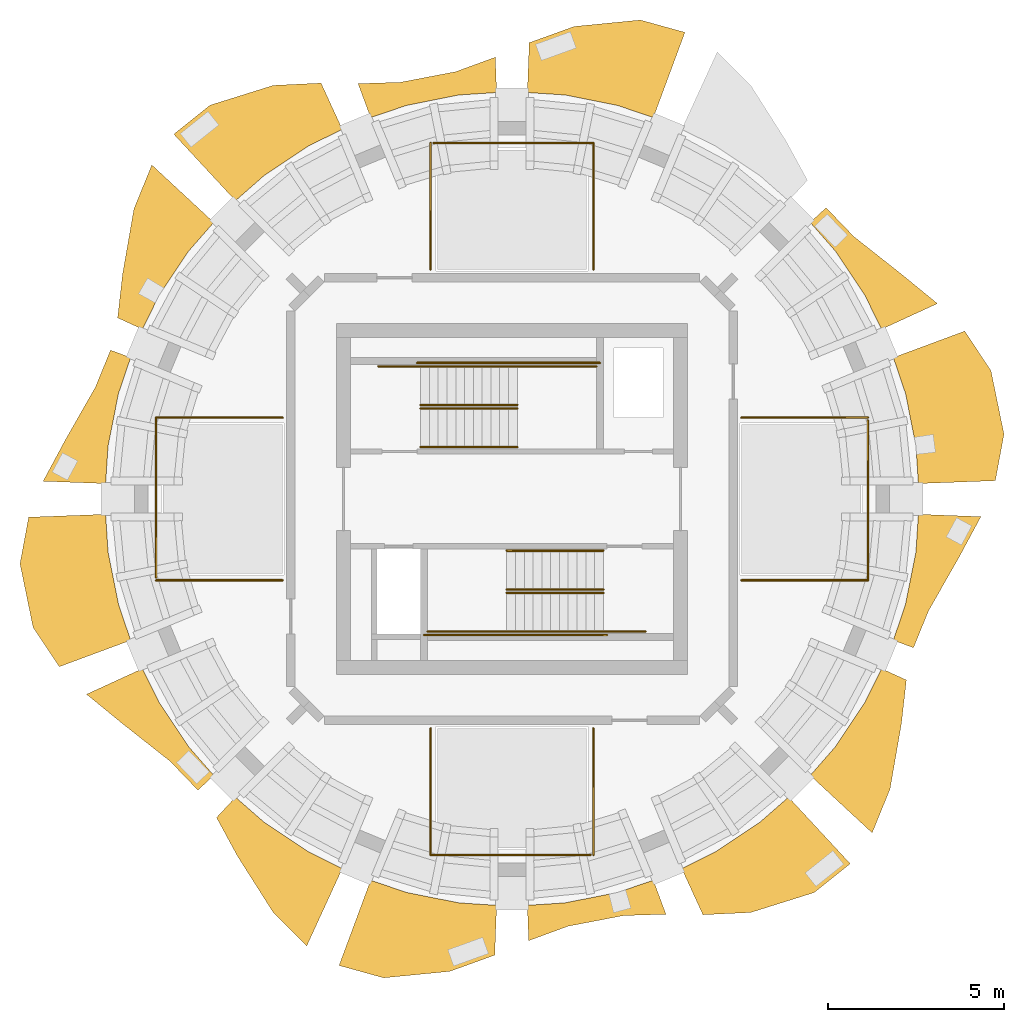
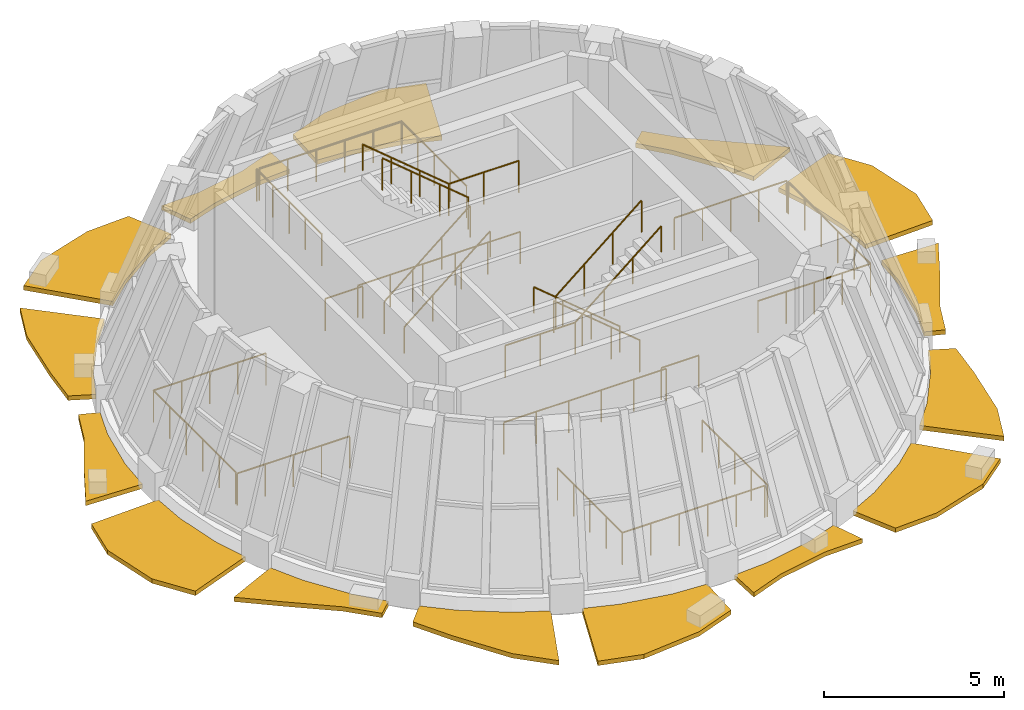
# One storey, part 7 of 9: 26 railings, 15 shading devices.
"""IFC4 building model written with IfcOpenShell, lengths in metres."""

import ifcopenshell
import ifcopenshell.guid

model = None  # the IFC model being written
_history = None  # IfcOwnerHistory: only IFC2X3 demands one
_inside = {}  # id of a spatial element -> (the spatial element, [elements in it])
_under = {}  # id of a project, library or spatial element -> (it, [spatial elements below it])
_declared = {}  # id of a project -> (the project, [libraries it declares])
_typed = {}  # id of a type object -> (the type object, [elements of that type])
_made_of = {}  # id of a material, layer set ... -> (it, [elements and type objects made of it])


def new_model(schema):
    """Start an empty IFC model of exactly this schema.

    Asked for "IFC4X3", IfcOpenShell would pick the latest addendum, in which some entities
    have other attributes; the version numbers below select the first issue.
    IFC2X3 requires an IfcOwnerHistory on every rooted entity: one is made here for all.
    """
    global model, _history
    if schema == "IFC4X3":
        model = ifcopenshell.file(schema_version=(4, 3, 0, 0))
    else:
        model = ifcopenshell.file(schema=schema)
    _inside.clear()
    _under.clear()
    _declared.clear()
    _typed.clear()
    _made_of.clear()
    _history = None
    if model.schema == "IFC2X3":
        org = make("IfcOrganization", Name="unknown")
        user = make(
            "IfcPersonAndOrganization",
            ThePerson=make("IfcPerson", FamilyName="unknown"),
            TheOrganization=org,
        )
        app = make(
            "IfcApplication",
            ApplicationDeveloper=org,
            Version="unknown",
            ApplicationFullName="unknown",
            ApplicationIdentifier="unknown",
        )
        _history = make(
            "IfcOwnerHistory",
            OwningUser=user,
            OwningApplication=app,
            ChangeAction="ADDED",
            CreationDate=0,
        )
    return model


def make(cls, **values):
    """One entity of the class cls with the attributes given. An attribute that is None is left unset."""
    return model.create_entity(
        cls, **{name: value for name, value in values.items() if value is not None}
    )


def rooted(cls, **values):
    """An entity with a GlobalId (a new one), such as an element, a storey or a relation."""
    return make(cls, GlobalId=ifcopenshell.guid.new(), OwnerHistory=_history, **values)


def si_unit(unit_type, name, prefix=None):
    """IfcSIUnit, for example si_unit("LENGTHUNIT", "METRE", prefix="MILLI")."""
    return make("IfcSIUnit", UnitType=unit_type, Prefix=prefix, Name=name)


def assignment(units):
    """IfcUnitAssignment: the units of a project."""
    return None if units is None else make("IfcUnitAssignment", Units=units)


def point(xyz):
    """IfcCartesianPoint."""
    return None if xyz is None else make("IfcCartesianPoint", Coordinates=xyz)


def direction(xyz):
    """IfcDirection."""
    return None if xyz is None else make("IfcDirection", DirectionRatios=xyz)


def frame(location, z_axis=None, x_axis=None):
    """IfcAxis2Placement3D, a coordinate frame: its origin and axes. An axis left out is left unset."""
    return make(
        "IfcAxis2Placement3D",
        Location=point(location),
        Axis=direction(z_axis),
        RefDirection=direction(x_axis),
    )


def frame_2d(location, x_axis=None):
    """IfcAxis2Placement2D, a coordinate frame in the plane: its origin and x axis."""
    return make(
        "IfcAxis2Placement2D", Location=point(location), RefDirection=direction(x_axis)
    )


def origin():
    """The frame at (0, 0, 0) with its axes left unset."""
    return frame((0.0, 0.0, 0.0))


def origin_2d():
    """The frame at (0, 0) in the plane with its x axis left unset."""
    return frame_2d((0.0, 0.0))


def place(relative_to, where):
    """IfcLocalPlacement: puts the frame where relative to a parent placement (None: the world)."""
    return make(
        "IfcLocalPlacement", PlacementRelTo=relative_to, RelativePlacement=where
    )


def context(
    kind, dimensions, precision=None, world=None, true_north=None, identifier=None
):
    """IfcGeometricRepresentationContext, for example the 3D "Model" context."""
    return make(
        "IfcGeometricRepresentationContext",
        ContextIdentifier=identifier,
        ContextType=kind,
        CoordinateSpaceDimension=dimensions,
        Precision=precision,
        WorldCoordinateSystem=world,
        TrueNorth=true_north,
    )


def subcontext(parent, identifier, kind, view, scale=None):
    """IfcGeometricRepresentationSubContext, for example "Body" below "Model"."""
    return make(
        "IfcGeometricRepresentationSubContext",
        ContextIdentifier=identifier,
        ContextType=kind,
        ParentContext=parent,
        TargetScale=scale,
        TargetView=view,
    )


def project(units=None, contexts=None):
    """IfcProject with its units and contexts."""
    return rooted(
        "IfcProject",
        Name="project",
        RepresentationContexts=contexts,
        UnitsInContext=assignment(units),
    )


def spatial(cls, under=None, at=None, **own):
    """A site, building, storey or space (cls), placed at a placement, below another one or the project."""
    s = rooted(cls, ObjectPlacement=at, **own)
    if under is not None:
        _under.setdefault(under.id(), (under, []))[1].append(s)
    return s


def polyline(points):
    """IfcPolyline through the points."""
    return make("IfcPolyline", Points=[point(p) for p in points])


def profile(cls, at=None, kind="AREA", **sizes):
    """A parametric profile (cls). Its sizes go by their IFC names, for example OverallWidth=200.0."""
    return make(cls, ProfileType=kind, Position=at, **sizes)


def circle(**sizes):
    """IfcCircleProfileDef."""
    return profile("IfcCircleProfileDef", **sizes)


def outline(outer, holes=None, kind="AREA"):
    """IfcArbitraryClosedProfileDef: a profile drawn as a closed curve; with holes, ...WithVoids."""
    if holes is None:
        return make("IfcArbitraryClosedProfileDef", ProfileType=kind, OuterCurve=outer)
    return make(
        "IfcArbitraryProfileDefWithVoids",
        ProfileType=kind,
        OuterCurve=outer,
        InnerCurves=holes,
    )


def extrude(swept, where, along, depth):
    """IfcExtrudedAreaSolid: the profile swept, set in the frame where, extruded along a direction by depth."""
    return make(
        "IfcExtrudedAreaSolid",
        SweptArea=swept,
        Position=where,
        ExtrudedDirection=direction(along),
        Depth=depth,
    )


def shape(context_of_items, identifier, shape_type, items):
    """IfcShapeRepresentation: the items that make up one representation, for example the "Body"."""
    return make(
        "IfcShapeRepresentation",
        ContextOfItems=context_of_items,
        RepresentationIdentifier=identifier,
        RepresentationType=shape_type,
        Items=items,
    )


def material(Name=None, Category=None):
    """IfcMaterial."""
    return make("IfcMaterial", Name=Name, Category=Category)


def made_of(thing, what):
    """Note that an element or type object is made of a material, layer set ...; save() writes the relation."""
    if what is not None:
        _made_of.setdefault(what.id(), (what, []))[1].append(thing)
    return thing


def type_object(cls, material=None, **own):
    """A type object (cls), such as IfcWallType, which elements share."""
    return made_of(rooted(cls, **own), material)


def element(
    cls,
    number,
    at=None,
    inside=None,
    cuts=None,
    type_object=None,
    material=None,
    context=None,
    identifier="Body",
    shape_type=None,
    held_by="IfcProductDefinitionShape",
    body=None,
    shapes=None,
    **own,
):
    """One element of the class cls, such as IfcWall. Its Tag is "e" and its number.

    at: its placement. inside: the storey or other place that contains it. cuts: it is an
    opening in that element (IfcRelVoidsElement). A single representation is given by context,
    identifier, shape_type and body (its items); several are given by shapes. held_by: the class
    of the entity that holds the representations. save() writes the other relations.
    """
    e = rooted(cls, Tag="e%d" % number, ObjectPlacement=at, **own)
    if body is not None:
        shapes = [shape(context, identifier, shape_type, body)]
    if shapes is not None:
        e.Representation = make(held_by, Representations=shapes)
    if inside is not None:
        _inside.setdefault(inside.id(), (inside, []))[1].append(e)
    if cuts is not None:
        rooted(
            "IfcRelVoidsElement", RelatingBuildingElement=cuts, RelatedOpeningElement=e
        )
    if type_object is not None:
        _typed.setdefault(type_object.id(), (type_object, []))[1].append(e)
    return made_of(e, material)


def aggregate(whole, parts):
    """IfcRelAggregates: a whole, such as a stair, and the parts it consists of."""
    return rooted("IfcRelAggregates", RelatingObject=whole, RelatedObjects=parts)


def save(model, path):
    """Write the relations noted so far, then the file.

    IfcRelAggregates (storeys below a building ...), IfcRelContainedInSpatialStructure (elements
    in a storey), IfcRelDefinesByType, IfcRelAssociatesMaterial and IfcRelDeclares: one each for
    every whole, place, type object, material and project.
    """
    for whole, parts in _under.values():
        aggregate(whole, parts)
    for where, things in _inside.values():
        rooted(
            "IfcRelContainedInSpatialStructure",
            RelatedElements=things,
            RelatingStructure=where,
        )
    for kind, things in _typed.values():
        rooted("IfcRelDefinesByType", RelatedObjects=things, RelatingType=kind)
    for what, things in _made_of.values():
        rooted("IfcRelAssociatesMaterial", RelatedObjects=things, RelatingMaterial=what)
    for by, libraries in _declared.values():
        rooted("IfcRelDeclares", RelatingContext=by, RelatedDefinitions=libraries)
    model.write(path)


model = new_model("IFC4")

# Units and contexts
model_context = context("Model", 3, precision=1e-05, world=origin(), true_north=direction((0.0, 1.0)))
body_context = subcontext(model_context, "Body", "Model", "MODEL_VIEW")
ifc_project = project(units=[si_unit("LENGTHUNIT", "METRE"), si_unit("AREAUNIT", "SQUARE_METRE"), si_unit("VOLUMEUNIT", "CUBIC_METRE"), si_unit("PLANEANGLEUNIT", "RADIAN"), si_unit("MASSUNIT", "GRAM", prefix="KILO")], contexts=[model_context])

# Site, building, storey
site_placement = place(None, origin())
site = spatial("IfcSite", under=ifc_project, at=site_placement, CompositionType="ELEMENT")
building_placement = place(site_placement, origin())
building = spatial("IfcBuilding", under=site, at=building_placement, Name="Polderwave Tower", CompositionType="ELEMENT")
storey_placement = place(building_placement, frame((0.0, 0.0, 239.39990234375)))
storey = spatial("IfcBuildingStorey", under=building, at=storey_placement, Name="L65", CompositionType="ELEMENT", Elevation=239.39990234375)

# Railings
ifc_material_1 = material(Name="Steel S355", Category="steel")
railing_type_1 = type_object("IfcRailingType", Name="Damper guard 1100", PredefinedType="GUARDRAIL", material=ifc_material_1)
railing_1_placement = place(storey_placement, frame((10.135009765625, -2.317626953125, 0.0)))
element("IfcRailing", 1, at=railing_1_placement, inside=storey, type_object=railing_type_1, Name="Damper guard 1a", PredefinedType="GUARDRAIL", context=body_context, shape_type="SweptSolid", body=[
    extrude(circle(Radius=0.02490234375, at=origin_2d()), frame((0.0, 0.0, 1.0751953125), z_axis=(0.0, 1.0, 0.0), x_axis=(-1.0, 0.0, 0.0)), (0.0, 0.0, 1.0), 4.55517578125),
    extrude(circle(Radius=0.02001953125, at=origin_2d()), origin(), (0.0, 0.0, 1.0), 1.050048828125),
    extrude(circle(Radius=0.02001953125, at=origin_2d()), frame((0.0, 0.9111328125, 0.0)), (0.0, 0.0, 1.0), 1.050048828125),
    extrude(circle(Radius=0.02001953125, at=origin_2d()), frame((0.0, 1.822021484375, 0.0)), (0.0, 0.0, 1.0), 1.050048828125),
    extrude(circle(Radius=0.02001953125, at=origin_2d()), frame((0.0, 2.733154296875, 0.0)), (0.0, 0.0, 1.0), 1.050048828125),
    extrude(circle(Radius=0.02001953125, at=origin_2d()), frame((0.0, 3.64404296875, 0.0)), (0.0, 0.0, 1.0), 1.050048828125),
    extrude(circle(Radius=0.02001953125, at=origin_2d()), frame((0.0, 4.55517578125, 0.0)), (0.0, 0.0, 1.0), 1.050048828125),
])
for number, where, name in (
    (2, (10.135009765625, 2.317626953125, 0.0), "Damper guard 1b"),
    (3, (10.135009765625, -2.317626953125, 0.0), "Damper guard 1c"),
):
    element("IfcRailing", number, at=place(storey_placement, frame(where)), inside=storey, type_object=railing_type_1, Name=name, PredefinedType="GUARDRAIL", context=body_context, shape_type="SweptSolid", body=[
        extrude(circle(Radius=0.02490234375, at=origin_2d()), frame((0.0, 0.0, 1.0751953125), z_axis=(-1.0, 0.0, 0.0), x_axis=(0.0, -1.0, 0.0)), (0.0, 0.0, 1.0), 3.60009765625),
        extrude(circle(Radius=0.02001953125, at=origin_2d()), origin(), (0.0, 0.0, 1.0), 1.050048828125),
        extrude(circle(Radius=0.02001953125, at=origin_2d()), frame((-0.89990234375, 0.0, 0.0)), (0.0, 0.0, 1.0), 1.050048828125),
        extrude(circle(Radius=0.02001953125, at=origin_2d()), frame((-1.800048828125, 0.0, 0.0)), (0.0, 0.0, 1.0), 1.050048828125),
        extrude(circle(Radius=0.02001953125, at=origin_2d()), frame((-2.7001953125, 0.0, 0.0)), (0.0, 0.0, 1.0), 1.050048828125),
        extrude(circle(Radius=0.02001953125, at=origin_2d()), frame((-3.60009765625, 0.0, 0.0)), (0.0, 0.0, 1.0), 1.050048828125),
    ])
railing_2_placement = place(storey_placement, frame((2.317626953125, 10.135009765625, 0.0)))
element("IfcRailing", 4, at=railing_2_placement, inside=storey, type_object=railing_type_1, Name="Damper guard 2a", PredefinedType="GUARDRAIL", context=body_context, shape_type="SweptSolid", body=[
    extrude(circle(Radius=0.02490234375, at=origin_2d()), frame((0.0, 0.0, 1.0751953125), z_axis=(-1.0, 0.0, 0.0), x_axis=(0.0, -1.0, 0.0)), (0.0, 0.0, 1.0), 4.55517578125),
    extrude(circle(Radius=0.02001953125, at=origin_2d()), origin(), (0.0, 0.0, 1.0), 1.050048828125),
    extrude(circle(Radius=0.02001953125, at=origin_2d()), frame((-0.9111328125, 0.0, 0.0)), (0.0, 0.0, 1.0), 1.050048828125),
    extrude(circle(Radius=0.02001953125, at=origin_2d()), frame((-1.822021484375, 0.0, 0.0)), (0.0, 0.0, 1.0), 1.050048828125),
    extrude(circle(Radius=0.02001953125, at=origin_2d()), frame((-2.733154296875, 0.0, 0.0)), (0.0, 0.0, 1.0), 1.050048828125),
    extrude(circle(Radius=0.02001953125, at=origin_2d()), frame((-3.64404296875, 0.0, 0.0)), (0.0, 0.0, 1.0), 1.050048828125),
    extrude(circle(Radius=0.02001953125, at=origin_2d()), frame((-4.55517578125, 0.0, 0.0)), (0.0, 0.0, 1.0), 1.050048828125),
])
for number, where, name in (
    (5, (-2.317626953125, 10.135009765625, 0.0), "Damper guard 2b"),
    (6, (2.317626953125, 10.135009765625, 0.0), "Damper guard 2c"),
):
    element("IfcRailing", number, at=place(storey_placement, frame(where)), inside=storey, type_object=railing_type_1, Name=name, PredefinedType="GUARDRAIL", context=body_context, shape_type="SweptSolid", body=[
        extrude(circle(Radius=0.02490234375, at=origin_2d()), frame((0.0, 0.0, 1.0751953125), z_axis=(0.0, -1.0, 0.0), x_axis=(1.0, 0.0, 0.0)), (0.0, 0.0, 1.0), 3.60009765625),
        extrude(circle(Radius=0.02001953125, at=origin_2d()), origin(), (0.0, 0.0, 1.0), 1.050048828125),
        extrude(circle(Radius=0.02001953125, at=origin_2d()), frame((0.0, -0.89990234375, 0.0)), (0.0, 0.0, 1.0), 1.050048828125),
        extrude(circle(Radius=0.02001953125, at=origin_2d()), frame((0.0, -1.800048828125, 0.0)), (0.0, 0.0, 1.0), 1.050048828125),
        extrude(circle(Radius=0.02001953125, at=origin_2d()), frame((0.0, -2.7001953125, 0.0)), (0.0, 0.0, 1.0), 1.050048828125),
        extrude(circle(Radius=0.02001953125, at=origin_2d()), frame((0.0, -3.60009765625, 0.0)), (0.0, 0.0, 1.0), 1.050048828125),
    ])
railing_3_placement = place(storey_placement, frame((-10.135009765625, 2.317626953125, 0.0)))
element("IfcRailing", 7, at=railing_3_placement, inside=storey, type_object=railing_type_1, Name="Damper guard 3a", PredefinedType="GUARDRAIL", context=body_context, shape_type="SweptSolid", body=[
    extrude(circle(Radius=0.02490234375, at=origin_2d()), frame((0.0, 0.0, 1.0751953125), z_axis=(0.0, -1.0, 0.0), x_axis=(1.0, 0.0, 0.0)), (0.0, 0.0, 1.0), 4.55517578125),
    extrude(circle(Radius=0.02001953125, at=origin_2d()), origin(), (0.0, 0.0, 1.0), 1.050048828125),
    extrude(circle(Radius=0.02001953125, at=origin_2d()), frame((0.0, -0.9111328125, 0.0)), (0.0, 0.0, 1.0), 1.050048828125),
    extrude(circle(Radius=0.02001953125, at=origin_2d()), frame((0.0, -1.822021484375, 0.0)), (0.0, 0.0, 1.0), 1.050048828125),
    extrude(circle(Radius=0.02001953125, at=origin_2d()), frame((0.0, -2.733154296875, 0.0)), (0.0, 0.0, 1.0), 1.050048828125),
    extrude(circle(Radius=0.02001953125, at=origin_2d()), frame((0.0, -3.64404296875, 0.0)), (0.0, 0.0, 1.0), 1.050048828125),
    extrude(circle(Radius=0.02001953125, at=origin_2d()), frame((0.0, -4.55517578125, 0.0)), (0.0, 0.0, 1.0), 1.050048828125),
])
for number, where, name in (
    (8, (-10.135009765625, -2.317626953125, 0.0), "Damper guard 3b"),
    (9, (-10.135009765625, 2.317626953125, 0.0), "Damper guard 3c"),
):
    element("IfcRailing", number, at=place(storey_placement, frame(where)), inside=storey, type_object=railing_type_1, Name=name, PredefinedType="GUARDRAIL", context=body_context, shape_type="SweptSolid", body=[
        extrude(circle(Radius=0.02490234375, at=origin_2d()), frame((0.0, 0.0, 1.0751953125), z_axis=(1.0, 0.0, 0.0), x_axis=(0.0, 1.0, 0.0)), (0.0, 0.0, 1.0), 3.60009765625),
        extrude(circle(Radius=0.02001953125, at=origin_2d()), origin(), (0.0, 0.0, 1.0), 1.050048828125),
        extrude(circle(Radius=0.02001953125, at=origin_2d()), frame((0.89990234375, 0.0, 0.0)), (0.0, 0.0, 1.0), 1.050048828125),
        extrude(circle(Radius=0.02001953125, at=origin_2d()), frame((1.800048828125, 0.0, 0.0)), (0.0, 0.0, 1.0), 1.050048828125),
        extrude(circle(Radius=0.02001953125, at=origin_2d()), frame((2.7001953125, 0.0, 0.0)), (0.0, 0.0, 1.0), 1.050048828125),
        extrude(circle(Radius=0.02001953125, at=origin_2d()), frame((3.60009765625, 0.0, 0.0)), (0.0, 0.0, 1.0), 1.050048828125),
    ])
railing_4_placement = place(storey_placement, frame((-2.317626953125, -10.135009765625, 0.0)))
element("IfcRailing", 10, at=railing_4_placement, inside=storey, type_object=railing_type_1, Name="Damper guard 4a", PredefinedType="GUARDRAIL", context=body_context, shape_type="SweptSolid", body=[
    extrude(circle(Radius=0.02490234375, at=origin_2d()), frame((0.0, 0.0, 1.0751953125), z_axis=(1.0, 0.0, 0.0), x_axis=(0.0, 1.0, 0.0)), (0.0, 0.0, 1.0), 4.55517578125),
    extrude(circle(Radius=0.02001953125, at=origin_2d()), origin(), (0.0, 0.0, 1.0), 1.050048828125),
    extrude(circle(Radius=0.02001953125, at=origin_2d()), frame((0.9111328125, 0.0, 0.0)), (0.0, 0.0, 1.0), 1.050048828125),
    extrude(circle(Radius=0.02001953125, at=origin_2d()), frame((1.822021484375, 0.0, 0.0)), (0.0, 0.0, 1.0), 1.050048828125),
    extrude(circle(Radius=0.02001953125, at=origin_2d()), frame((2.733154296875, 0.0, 0.0)), (0.0, 0.0, 1.0), 1.050048828125),
    extrude(circle(Radius=0.02001953125, at=origin_2d()), frame((3.64404296875, 0.0, 0.0)), (0.0, 0.0, 1.0), 1.050048828125),
    extrude(circle(Radius=0.02001953125, at=origin_2d()), frame((4.55517578125, 0.0, 0.0)), (0.0, 0.0, 1.0), 1.050048828125),
])
for number, where, name in (
    (11, (2.317626953125, -10.135009765625, 0.0), "Damper guard 4b"),
    (12, (-2.317626953125, -10.135009765625, 0.0), "Damper guard 4c"),
):
    element("IfcRailing", number, at=place(storey_placement, frame(where)), inside=storey, type_object=railing_type_1, Name=name, PredefinedType="GUARDRAIL", context=body_context, shape_type="SweptSolid", body=[
        extrude(circle(Radius=0.02490234375, at=origin_2d()), frame((0.0, 0.0, 1.0751953125), z_axis=(0.0, 1.0, 0.0), x_axis=(-1.0, 0.0, 0.0)), (0.0, 0.0, 1.0), 3.60009765625),
        extrude(circle(Radius=0.02001953125, at=origin_2d()), origin(), (0.0, 0.0, 1.0), 1.050048828125),
        extrude(circle(Radius=0.02001953125, at=origin_2d()), frame((0.0, 0.89990234375, 0.0)), (0.0, 0.0, 1.0), 1.050048828125),
        extrude(circle(Radius=0.02001953125, at=origin_2d()), frame((0.0, 1.800048828125, 0.0)), (0.0, 0.0, 1.0), 1.050048828125),
        extrude(circle(Radius=0.02001953125, at=origin_2d()), frame((0.0, 2.7001953125, 0.0)), (0.0, 0.0, 1.0), 1.050048828125),
        extrude(circle(Radius=0.02001953125, at=origin_2d()), frame((0.0, 3.60009765625, 0.0)), (0.0, 0.0, 1.0), 1.050048828125),
    ])
ifc_material_2 = material(Name="Stainless steel", Category="steel")
railing_type_2 = type_object("IfcRailingType", Name="Stair guard 1100", PredefinedType="GUARDRAIL", material=ifc_material_2)
railing_5_placement = place(storey_placement, frame((-2.60009765625, 2.574951171875, 0.20849609375)))
element("IfcRailing", 13, at=railing_5_placement, inside=storey, type_object=railing_type_2, Name="L65 ST-S1 stair guard 1", PredefinedType="GUARDRAIL", context=body_context, shape_type="SweptSolid", body=[
    extrude(circle(Radius=0.02392578125, at=origin_2d()), frame((0.0, 0.0, 1.076171875), z_axis=(0.768243640915, 0.0, 0.64015756513), x_axis=(0.0, 1.0, 0.0)), (0.0, 0.0, 1.0), 3.57958984375),
    extrude(circle(Radius=0.02099609375, at=origin_2d()), origin(), (0.0, 0.0, 1.0), 1.052001953125),
    extrude(circle(Radius=0.02099609375, at=origin_2d()), frame((0.916748046875, 0.0, 0.763916015625)), (0.0, 0.0, 1.0), 1.052001953125),
    extrude(circle(Radius=0.02099609375, at=origin_2d()), frame((1.833251953125, 0.0, 1.527587890625)), (0.0, 0.0, 1.0), 1.052001953125),
    extrude(circle(Radius=0.02099609375, at=origin_2d()), frame((2.75, 0.0, 2.29150390625)), (0.0, 0.0, 1.0), 1.052001953125),
])
railing_6_placement = place(storey_placement, frame((0.14990234375, 3.77490234375, 2.5)))
element("IfcRailing", 14, at=railing_6_placement, inside=storey, type_object=railing_type_2, Name="L65 ST-S1 stair guard 3", PredefinedType="GUARDRAIL", context=body_context, shape_type="SweptSolid", body=[
    extrude(circle(Radius=0.02392578125, at=origin_2d()), frame((0.0, 0.0, 1.076171875), z_axis=(1.0, 0.0, 0.0), x_axis=(0.0, 1.0, 0.0)), (0.0, 0.0, 1.0), 2.25),
    extrude(circle(Radius=0.02099609375, at=origin_2d()), origin(), (0.0, 0.0, 1.0), 1.052001953125),
    extrude(circle(Radius=0.02099609375, at=origin_2d()), frame((1.125, 0.0, 0.0)), (0.0, 0.0, 1.0), 1.052001953125),
    extrude(circle(Radius=0.02099609375, at=origin_2d()), frame((2.25, 0.0, 0.0)), (0.0, 0.0, 1.0), 1.052001953125),
])
railing_7_placement = place(storey_placement, frame((0.14990234375, 2.675048828125, 2.70849609375)))
element("IfcRailing", 15, at=railing_7_placement, inside=storey, type_object=railing_type_2, Name="L65 ST-S1 stair guard 4", PredefinedType="GUARDRAIL", context=body_context, shape_type="SweptSolid", body=[
    extrude(circle(Radius=0.02392578125, at=origin_2d()), frame((0.0, 0.0, 1.076171875), z_axis=(-0.768243640915, 0.0, 0.64015756513), x_axis=(0.0, -1.0, 0.0)), (0.0, 0.0, 1.0), 3.57958984375),
    extrude(circle(Radius=0.02099609375, at=origin_2d()), origin(), (0.0, 0.0, 1.0), 1.052001953125),
    extrude(circle(Radius=0.02099609375, at=origin_2d()), frame((-0.916748046875, 0.0, 0.763916015625)), (0.0, 0.0, 1.0), 1.052001953125),
    extrude(circle(Radius=0.02099609375, at=origin_2d()), frame((-1.833251953125, 0.0, 1.527587890625)), (0.0, 0.0, 1.0), 1.052001953125),
    extrude(circle(Radius=0.02099609375, at=origin_2d()), frame((-2.75, 0.0, 2.29150390625)), (0.0, 0.0, 1.0), 1.052001953125),
])
railing_8_placement = place(storey_placement, frame((-3.800048828125, 3.77490234375, 0.0)))
element("IfcRailing", 16, at=railing_8_placement, inside=storey, type_object=railing_type_2, Name="L65 ST-S1 stair guard 6", PredefinedType="GUARDRAIL", context=body_context, shape_type="SweptSolid", body=[
    extrude(circle(Radius=0.02392578125, at=origin_2d()), frame((0.0, 0.0, 1.076171875), z_axis=(1.0, 0.0, 0.0), x_axis=(0.0, 1.0, 0.0)), (0.0, 0.0, 1.0), 1.199951171875),
    extrude(circle(Radius=0.02099609375, at=origin_2d()), origin(), (0.0, 0.0, 1.0), 1.052001953125),
    extrude(circle(Radius=0.02099609375, at=origin_2d()), frame((1.199951171875, 0.0, 0.0)), (0.0, 0.0, 1.0), 1.052001953125),
])
railing_9_placement = place(storey_placement, frame((-2.699951171875, 3.875, 0.0)))
element("IfcRailing", 17, at=railing_9_placement, inside=storey, type_object=railing_type_2, Name="L65 ST-S1 stair guard 7", PredefinedType="GUARDRAIL", context=body_context, shape_type="SweptSolid", body=[
    extrude(circle(Radius=0.02392578125, at=origin_2d()), frame((0.0, 0.0, 1.076171875), z_axis=(1.0, 0.0, 0.0), x_axis=(0.0, 1.0, 0.0)), (0.0, 0.0, 1.0), 5.199951171875),
    extrude(circle(Radius=0.02099609375, at=origin_2d()), origin(), (0.0, 0.0, 1.0), 1.052001953125),
    extrude(circle(Radius=0.02099609375, at=origin_2d()), frame((1.0400390625, 0.0, 0.0)), (0.0, 0.0, 1.0), 1.052001953125),
    extrude(circle(Radius=0.02099609375, at=origin_2d()), frame((2.080078125, 0.0, 0.0)), (0.0, 0.0, 1.0), 1.052001953125),
    extrude(circle(Radius=0.02099609375, at=origin_2d()), frame((3.119873046875, 0.0, 0.0)), (0.0, 0.0, 1.0), 1.052001953125),
    extrude(circle(Radius=0.02099609375, at=origin_2d()), frame((4.159912109375, 0.0, 0.0)), (0.0, 0.0, 1.0), 1.052001953125),
    extrude(circle(Radius=0.02099609375, at=origin_2d()), frame((5.199951171875, 0.0, 0.0)), (0.0, 0.0, 1.0), 1.052001953125),
])
railing_10_placement = place(storey_placement, frame((2.60009765625, -2.574951171875, 0.20849609375)))
element("IfcRailing", 18, at=railing_10_placement, inside=storey, type_object=railing_type_2, Name="L65 ST-S2 stair guard 1", PredefinedType="GUARDRAIL", context=body_context, shape_type="SweptSolid", body=[
    extrude(circle(Radius=0.02392578125, at=origin_2d()), frame((0.0, 0.0, 1.076171875), z_axis=(-0.768243640915, 0.0, 0.64015756513), x_axis=(0.0, -1.0, 0.0)), (0.0, 0.0, 1.0), 3.57958984375),
    extrude(circle(Radius=0.02099609375, at=origin_2d()), origin(), (0.0, 0.0, 1.0), 1.052001953125),
    extrude(circle(Radius=0.02099609375, at=origin_2d()), frame((-0.916748046875, 0.0, 0.763916015625)), (0.0, 0.0, 1.0), 1.052001953125),
    extrude(circle(Radius=0.02099609375, at=origin_2d()), frame((-1.833251953125, 0.0, 1.527587890625)), (0.0, 0.0, 1.0), 1.052001953125),
    extrude(circle(Radius=0.02099609375, at=origin_2d()), frame((-2.75, 0.0, 2.29150390625)), (0.0, 0.0, 1.0), 1.052001953125),
])
railing_11_placement = place(storey_placement, frame((-0.14990234375, -3.77490234375, 2.5)))
element("IfcRailing", 19, at=railing_11_placement, inside=storey, type_object=railing_type_2, Name="L65 ST-S2 stair guard 3", PredefinedType="GUARDRAIL", context=body_context, shape_type="SweptSolid", body=[
    extrude(circle(Radius=0.02392578125, at=origin_2d()), frame((0.0, 0.0, 1.076171875), z_axis=(-1.0, 0.0, 0.0), x_axis=(0.0, -1.0, 0.0)), (0.0, 0.0, 1.0), 2.25),
    extrude(circle(Radius=0.02099609375, at=origin_2d()), origin(), (0.0, 0.0, 1.0), 1.052001953125),
    extrude(circle(Radius=0.02099609375, at=origin_2d()), frame((-1.125, 0.0, 0.0)), (0.0, 0.0, 1.0), 1.052001953125),
    extrude(circle(Radius=0.02099609375, at=origin_2d()), frame((-2.25, 0.0, 0.0)), (0.0, 0.0, 1.0), 1.052001953125),
])
railing_12_placement = place(storey_placement, frame((-0.14990234375, -2.675048828125, 2.70849609375)))
element("IfcRailing", 20, at=railing_12_placement, inside=storey, type_object=railing_type_2, Name="L65 ST-S2 stair guard 4", PredefinedType="GUARDRAIL", context=body_context, shape_type="SweptSolid", body=[
    extrude(circle(Radius=0.02392578125, at=origin_2d()), frame((0.0, 0.0, 1.076171875), z_axis=(0.768243640915, 0.0, 0.64015756513), x_axis=(0.0, 1.0, 0.0)), (0.0, 0.0, 1.0), 3.57958984375),
    extrude(circle(Radius=0.02099609375, at=origin_2d()), origin(), (0.0, 0.0, 1.0), 1.052001953125),
    extrude(circle(Radius=0.02099609375, at=origin_2d()), frame((0.916748046875, 0.0, 0.763916015625)), (0.0, 0.0, 1.0), 1.052001953125),
    extrude(circle(Radius=0.02099609375, at=origin_2d()), frame((1.833251953125, 0.0, 1.527587890625)), (0.0, 0.0, 1.0), 1.052001953125),
    extrude(circle(Radius=0.02099609375, at=origin_2d()), frame((2.75, 0.0, 2.29150390625)), (0.0, 0.0, 1.0), 1.052001953125),
])
railing_13_placement = place(storey_placement, frame((3.800048828125, -3.77490234375, 0.0)))
element("IfcRailing", 21, at=railing_13_placement, inside=storey, type_object=railing_type_2, Name="L65 ST-S2 stair guard 6", PredefinedType="GUARDRAIL", context=body_context, shape_type="SweptSolid", body=[
    extrude(circle(Radius=0.02392578125, at=origin_2d()), frame((0.0, 0.0, 1.076171875), z_axis=(-1.0, 0.0, 0.0), x_axis=(0.0, -1.0, 0.0)), (0.0, 0.0, 1.0), 1.199951171875),
    extrude(circle(Radius=0.02099609375, at=origin_2d()), origin(), (0.0, 0.0, 1.0), 1.052001953125),
    extrude(circle(Radius=0.02099609375, at=origin_2d()), frame((-1.199951171875, 0.0, 0.0)), (0.0, 0.0, 1.0), 1.052001953125),
])
railing_14_placement = place(storey_placement, frame((2.699951171875, -3.875, 0.0)))
element("IfcRailing", 22, at=railing_14_placement, inside=storey, type_object=railing_type_2, Name="L65 ST-S2 stair guard 7", PredefinedType="GUARDRAIL", context=body_context, shape_type="SweptSolid", body=[
    extrude(circle(Radius=0.02392578125, at=origin_2d()), frame((0.0, 0.0, 1.076171875), z_axis=(-1.0, 0.0, 0.0), x_axis=(0.0, -1.0, 0.0)), (0.0, 0.0, 1.0), 5.199951171875),
    extrude(circle(Radius=0.02099609375, at=origin_2d()), origin(), (0.0, 0.0, 1.0), 1.052001953125),
    extrude(circle(Radius=0.02099609375, at=origin_2d()), frame((-1.0400390625, 0.0, 0.0)), (0.0, 0.0, 1.0), 1.052001953125),
    extrude(circle(Radius=0.02099609375, at=origin_2d()), frame((-2.080078125, 0.0, 0.0)), (0.0, 0.0, 1.0), 1.052001953125),
    extrude(circle(Radius=0.02099609375, at=origin_2d()), frame((-3.119873046875, 0.0, 0.0)), (0.0, 0.0, 1.0), 1.052001953125),
    extrude(circle(Radius=0.02099609375, at=origin_2d()), frame((-4.159912109375, 0.0, 0.0)), (0.0, 0.0, 1.0), 1.052001953125),
    extrude(circle(Radius=0.02099609375, at=origin_2d()), frame((-5.199951171875, 0.0, 0.0)), (0.0, 0.0, 1.0), 1.052001953125),
])
railing_type_3 = type_object("IfcRailingType", Name="Stair handrail 900", PredefinedType="HANDRAIL", material=ifc_material_2)
railing_15_placement = place(storey_placement, frame((-2.60009765625, 1.47509765625, 0.20849609375)))
element("IfcRailing", 23, at=railing_15_placement, inside=storey, type_object=railing_type_3, Name="L65 ST-S1 stair handrail 1", PredefinedType="HANDRAIL", context=body_context, shape_type="SweptSolid", body=[
    extrude(circle(Radius=0.02392578125, at=origin_2d()), frame((0.0, 0.0, 0.8759765625), z_axis=(0.768243640915, 0.0, 0.64015756513), x_axis=(0.0, 1.0, 0.0)), (0.0, 0.0, 1.0), 3.57958984375),
    extrude(circle(Radius=0.02099609375, at=origin_2d()), origin(), (0.0, 0.0, 1.0), 0.851806640625),
    extrude(circle(Radius=0.02099609375, at=origin_2d()), frame((0.916748046875, 0.0, 0.763916015625)), (0.0, 0.0, 1.0), 0.851806640625),
    extrude(circle(Radius=0.02099609375, at=origin_2d()), frame((1.833251953125, 0.0, 1.527587890625)), (0.0, 0.0, 1.0), 0.851806640625),
    extrude(circle(Radius=0.02099609375, at=origin_2d()), frame((2.75, 0.0, 2.29150390625)), (0.0, 0.0, 1.0), 0.851806640625),
])
for number, where, name in (
    (24, (0.14990234375, 3.77490234375, 2.70849609375), "L65 ST-S1 stair handrail 2"),
    (25, (2.60009765625, -1.47509765625, 0.20849609375), "L65 ST-S2 stair handrail 1"),
):
    element("IfcRailing", number, at=place(storey_placement, frame(where)), inside=storey, type_object=railing_type_3, Name=name, PredefinedType="HANDRAIL", context=body_context, shape_type="SweptSolid", body=[
        extrude(circle(Radius=0.02392578125, at=origin_2d()), frame((0.0, 0.0, 0.8759765625), z_axis=(-0.768243640915, 0.0, 0.64015756513), x_axis=(0.0, -1.0, 0.0)), (0.0, 0.0, 1.0), 3.57958984375),
        extrude(circle(Radius=0.02099609375, at=origin_2d()), origin(), (0.0, 0.0, 1.0), 0.851806640625),
        extrude(circle(Radius=0.02099609375, at=origin_2d()), frame((-0.916748046875, 0.0, 0.763916015625)), (0.0, 0.0, 1.0), 0.851806640625),
        extrude(circle(Radius=0.02099609375, at=origin_2d()), frame((-1.833251953125, 0.0, 1.527587890625)), (0.0, 0.0, 1.0), 0.851806640625),
        extrude(circle(Radius=0.02099609375, at=origin_2d()), frame((-2.75, 0.0, 2.29150390625)), (0.0, 0.0, 1.0), 0.851806640625),
    ])
railing_16_placement = place(storey_placement, frame((-0.14990234375, -3.77490234375, 2.70849609375)))
element("IfcRailing", 26, at=railing_16_placement, inside=storey, type_object=railing_type_3, Name="L65 ST-S2 stair handrail 2", PredefinedType="HANDRAIL", context=body_context, shape_type="SweptSolid", body=[
    extrude(circle(Radius=0.02392578125, at=origin_2d()), frame((0.0, 0.0, 0.8759765625), z_axis=(0.768243640915, 0.0, 0.64015756513), x_axis=(0.0, 1.0, 0.0)), (0.0, 0.0, 1.0), 3.57958984375),
    extrude(circle(Radius=0.02099609375, at=origin_2d()), origin(), (0.0, 0.0, 1.0), 0.851806640625),
    extrude(circle(Radius=0.02099609375, at=origin_2d()), frame((0.916748046875, 0.0, 0.763916015625)), (0.0, 0.0, 1.0), 0.851806640625),
    extrude(circle(Radius=0.02099609375, at=origin_2d()), frame((1.833251953125, 0.0, 1.527587890625)), (0.0, 0.0, 1.0), 0.851806640625),
    extrude(circle(Radius=0.02099609375, at=origin_2d()), frame((2.75, 0.0, 2.29150390625)), (0.0, 0.0, 1.0), 0.851806640625),
])

# Shading devices
ifc_material_3 = material(Name="Terracotta", Category="masonry")
shading_device_type = type_object("IfcShadingDeviceType", Name="Terracotta sunshade band", PredefinedType="USERDEFINED", material=ifc_material_3)
shading_device_1_placement = place(storey_placement, frame((0.0, 0.0, -0.599853515625)))
element("IfcShadingDevice", 27, at=shading_device_1_placement, inside=storey, type_object=shading_device_type, Name="Sunshade band L65 1", ObjectType="SUNSHADE", PredefinedType="USERDEFINED", context=body_context, shape_type="SweptSolid", body=[
    extrude(outline(polyline([(11.5712890625, 0.43701171875), (11.500732421875, 1.51416015625), (11.20458984375, 3.002197265625), (10.857666015625, 4.024658203125), (12.890380859375, 4.778076171875), (13.63671875, 3.654052734375), (14.0087890625, 1.84423828125), (13.7626953125, 0.51953125), (11.5712890625, 0.43701171875)])), origin(), (0.0, 0.0, 1.0), 0.14990234375),
])
shading_device_2_placement = place(storey_placement, frame((0.0, 0.0, -0.599853515625)))
element("IfcShadingDevice", 28, at=shading_device_2_placement, inside=storey, type_object=shading_device_type, Name="Sunshade band L65 2", ObjectType="SUNSHADE", PredefinedType="USERDEFINED", context=body_context, shape_type="SweptSolid", body=[
    extrude(outline(polyline([(10.5234375, 4.831787109375), (10.0458984375, 5.800048828125), (9.202880859375, 7.0615234375), (8.4912109375, 7.873291015625), (8.943115234375, 8.29248046875), (9.734619140625, 7.4697265625), (11.087890625, 6.401611328125), (12.114013671875, 5.56201171875), (10.5234375, 4.831787109375)])), origin(), (0.0, 0.0, 1.0), 0.14990234375),
])
shading_device_3_placement = place(storey_placement, frame((0.0, 0.0, -0.599853515625)))
element("IfcShadingDevice", 29, at=shading_device_3_placement, inside=storey, type_object=shading_device_type, Name="Sunshade band L65 4", ObjectType="SUNSHADE", PredefinedType="USERDEFINED", context=body_context, shape_type="SweptSolid", body=[
    extrude(outline(polyline([(4.024658203125, 10.857666015625), (3.002197265625, 11.20458984375), (1.51416015625, 11.500732421875), (0.43701171875, 11.5712890625), (0.490478515625, 12.98974609375), (1.77099609375, 13.452392578125), (3.654052734375, 13.63671875), (4.92431640625, 13.284912109375), (4.024658203125, 10.857666015625)])), origin(), (0.0, 0.0, 1.0), 0.14990234375),
])
shading_device_4_placement = place(storey_placement, frame((0.0, 0.0, -0.599853515625)))
element("IfcShadingDevice", 30, at=shading_device_4_placement, inside=storey, type_object=shading_device_type, Name="Sunshade band L65 5", ObjectType="SUNSHADE", PredefinedType="USERDEFINED", context=body_context, shape_type="SweptSolid", body=[
    extrude(outline(polyline([(-0.43701171875, 11.5712890625), (-1.51416015625, 11.500732421875), (-3.002197265625, 11.20458984375), (-4.024658203125, 10.857666015625), (-4.38330078125, 11.82568359375), (-3.1787109375, 11.863525390625), (-1.6015625, 12.165283203125), (-0.474853515625, 12.577880859375), (-0.43701171875, 11.5712890625)])), origin(), (0.0, 0.0, 1.0), 0.14990234375),
])
shading_device_5_placement = place(storey_placement, frame((0.0, 0.0, -0.599853515625)))
element("IfcShadingDevice", 31, at=shading_device_5_placement, inside=storey, type_object=shading_device_type, Name="Sunshade band L65 6", ObjectType="SUNSHADE", PredefinedType="USERDEFINED", context=body_context, shape_type="SweptSolid", body=[
    extrude(outline(polyline([(-4.831787109375, 10.5234375), (-5.800048828125, 10.0458984375), (-7.0615234375, 9.202880859375), (-7.873291015625, 8.4912109375), (-9.6298828125, 10.385498046875), (-8.6015625, 11.209716796875), (-6.79833984375, 11.775146484375), (-5.436767578125, 11.8408203125), (-4.831787109375, 10.5234375)])), origin(), (0.0, 0.0, 1.0), 0.14990234375),
])
shading_device_6_placement = place(storey_placement, frame((0.0, 0.0, -0.599853515625)))
element("IfcShadingDevice", 32, at=shading_device_6_placement, inside=storey, type_object=shading_device_type, Name="Sunshade band L65 7", ObjectType="SUNSHADE", PredefinedType="USERDEFINED", context=body_context, shape_type="SweptSolid", body=[
    extrude(outline(polyline([(-8.4912109375, 7.873291015625), (-9.202880859375, 7.0615234375), (-10.0458984375, 5.800048828125), (-10.5234375, 4.831787109375), (-11.229248046875, 5.156005859375), (-11.087890625, 6.401611328125), (-10.7646484375, 8.260009765625), (-10.2548828125, 9.5087890625), (-8.4912109375, 7.873291015625)])), origin(), (0.0, 0.0, 1.0), 0.14990234375),
])
shading_device_7_placement = place(storey_placement, frame((0.0, 0.0, -0.599853515625)))
element("IfcShadingDevice", 33, at=shading_device_7_placement, inside=storey, type_object=shading_device_type, Name="Sunshade band L65 8", ObjectType="SUNSHADE", PredefinedType="USERDEFINED", context=body_context, shape_type="SweptSolid", body=[
    extrude(outline(polyline([(-10.857666015625, 4.024658203125), (-11.20458984375, 3.002197265625), (-11.500732421875, 1.51416015625), (-11.5712890625, 0.43701171875), (-13.350830078125, 0.50390625), (-12.7216796875, 1.6748046875), (-11.863525390625, 3.1787109375), (-11.430908203125, 4.237060546875), (-10.857666015625, 4.024658203125)])), origin(), (0.0, 0.0, 1.0), 0.14990234375),
])
shading_device_8_placement = place(storey_placement, frame((0.0, 0.0, -0.599853515625)))
element("IfcShadingDevice", 34, at=shading_device_8_placement, inside=storey, type_object=shading_device_type, Name="Sunshade band L65 9", ObjectType="SUNSHADE", PredefinedType="USERDEFINED", context=body_context, shape_type="SweptSolid", body=[
    extrude(outline(polyline([(-11.5712890625, -0.43701171875), (-11.500732421875, -1.51416015625), (-11.20458984375, -3.002197265625), (-10.857666015625, -4.024658203125), (-12.890380859375, -4.778076171875), (-13.63671875, -3.654052734375), (-14.0087890625, -1.84423828125), (-13.7626953125, -0.51953125), (-11.5712890625, -0.43701171875)])), origin(), (0.0, 0.0, 1.0), 0.14990234375),
])
shading_device_9_placement = place(storey_placement, frame((0.0, 0.0, -0.599853515625)))
element("IfcShadingDevice", 35, at=shading_device_9_placement, inside=storey, type_object=shading_device_type, Name="Sunshade band L65 10", ObjectType="SUNSHADE", PredefinedType="USERDEFINED", context=body_context, shape_type="SweptSolid", body=[
    extrude(outline(polyline([(-10.5234375, -4.831787109375), (-10.0458984375, -5.800048828125), (-9.202880859375, -7.0615234375), (-8.4912109375, -7.873291015625), (-8.943115234375, -8.29248046875), (-9.734619140625, -7.4697265625), (-11.087890625, -6.401611328125), (-12.114013671875, -5.56201171875), (-10.5234375, -4.831787109375)])), origin(), (0.0, 0.0, 1.0), 0.14990234375),
])
shading_device_10_placement = place(storey_placement, frame((0.0, 0.0, -0.599853515625)))
element("IfcShadingDevice", 36, at=shading_device_10_placement, inside=storey, type_object=shading_device_type, Name="Sunshade band L65 11", ObjectType="SUNSHADE", PredefinedType="USERDEFINED", context=body_context, shape_type="SweptSolid", body=[
    extrude(outline(polyline([(-7.873291015625, -8.4912109375), (-7.0615234375, -9.202880859375), (-5.800048828125, -10.0458984375), (-4.831787109375, -10.5234375), (-5.843017578125, -12.7255859375), (-6.79833984375, -11.775146484375), (-7.811279296875, -10.179931640625), (-8.41357421875, -9.07373046875), (-7.873291015625, -8.4912109375)])), origin(), (0.0, 0.0, 1.0), 0.14990234375),
])
shading_device_11_placement = place(storey_placement, frame((0.0, 0.0, -0.599853515625)))
element("IfcShadingDevice", 37, at=shading_device_11_placement, inside=storey, type_object=shading_device_type, Name="Sunshade band L65 12", ObjectType="SUNSHADE", PredefinedType="USERDEFINED", context=body_context, shape_type="SweptSolid", body=[
    extrude(outline(polyline([(-4.024658203125, -10.857666015625), (-3.002197265625, -11.20458984375), (-1.51416015625, -11.500732421875), (-0.43701171875, -11.5712890625), (-0.490478515625, -12.98974609375), (-1.77099609375, -13.452392578125), (-3.654052734375, -13.63671875), (-4.92431640625, -13.284912109375), (-4.024658203125, -10.857666015625)])), origin(), (0.0, 0.0, 1.0), 0.14990234375),
])
shading_device_12_placement = place(storey_placement, frame((0.0, 0.0, -0.599853515625)))
element("IfcShadingDevice", 38, at=shading_device_12_placement, inside=storey, type_object=shading_device_type, Name="Sunshade band L65 13", ObjectType="SUNSHADE", PredefinedType="USERDEFINED", context=body_context, shape_type="SweptSolid", body=[
    extrude(outline(polyline([(0.43701171875, -11.5712890625), (1.51416015625, -11.500732421875), (3.002197265625, -11.20458984375), (4.024658203125, -10.857666015625), (4.38330078125, -11.82568359375), (3.1787109375, -11.863525390625), (1.6015625, -12.165283203125), (0.474853515625, -12.577880859375), (0.43701171875, -11.5712890625)])), origin(), (0.0, 0.0, 1.0), 0.14990234375),
])
shading_device_13_placement = place(storey_placement, frame((0.0, 0.0, -0.599853515625)))
element("IfcShadingDevice", 39, at=shading_device_13_placement, inside=storey, type_object=shading_device_type, Name="Sunshade band L65 14", ObjectType="SUNSHADE", PredefinedType="USERDEFINED", context=body_context, shape_type="SweptSolid", body=[
    extrude(outline(polyline([(4.831787109375, -10.5234375), (5.800048828125, -10.0458984375), (7.0615234375, -9.202880859375), (7.873291015625, -8.4912109375), (9.6298828125, -10.385498046875), (8.6015625, -11.209716796875), (6.79833984375, -11.775146484375), (5.436767578125, -11.8408203125), (4.831787109375, -10.5234375)])), origin(), (0.0, 0.0, 1.0), 0.14990234375),
])
shading_device_14_placement = place(storey_placement, frame((0.0, 0.0, -0.599853515625)))
element("IfcShadingDevice", 40, at=shading_device_14_placement, inside=storey, type_object=shading_device_type, Name="Sunshade band L65 15", ObjectType="SUNSHADE", PredefinedType="USERDEFINED", context=body_context, shape_type="SweptSolid", body=[
    extrude(outline(polyline([(8.4912109375, -7.873291015625), (9.202880859375, -7.0615234375), (10.0458984375, -5.800048828125), (10.5234375, -4.831787109375), (11.229248046875, -5.156005859375), (11.087890625, -6.401611328125), (10.7646484375, -8.260009765625), (10.2548828125, -9.5087890625), (8.4912109375, -7.873291015625)])), origin(), (0.0, 0.0, 1.0), 0.14990234375),
])
shading_device_15_placement = place(storey_placement, frame((0.0, 0.0, -0.599853515625)))
element("IfcShadingDevice", 41, at=shading_device_15_placement, inside=storey, type_object=shading_device_type, Name="Sunshade band L65 16", ObjectType="SUNSHADE", PredefinedType="USERDEFINED", context=body_context, shape_type="SweptSolid", body=[
    extrude(outline(polyline([(10.857666015625, -4.024658203125), (11.20458984375, -3.002197265625), (11.500732421875, -1.51416015625), (11.5712890625, -0.43701171875), (13.350830078125, -0.50390625), (12.7216796875, -1.6748046875), (11.863525390625, -3.1787109375), (11.430908203125, -4.237060546875), (10.857666015625, -4.024658203125)])), origin(), (0.0, 0.0, 1.0), 0.14990234375),
])

save(model, "model.ifc")
